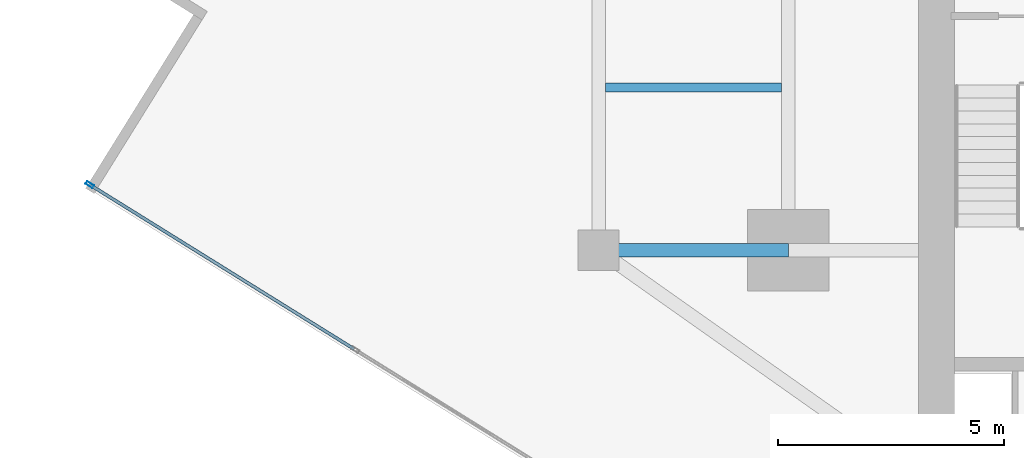
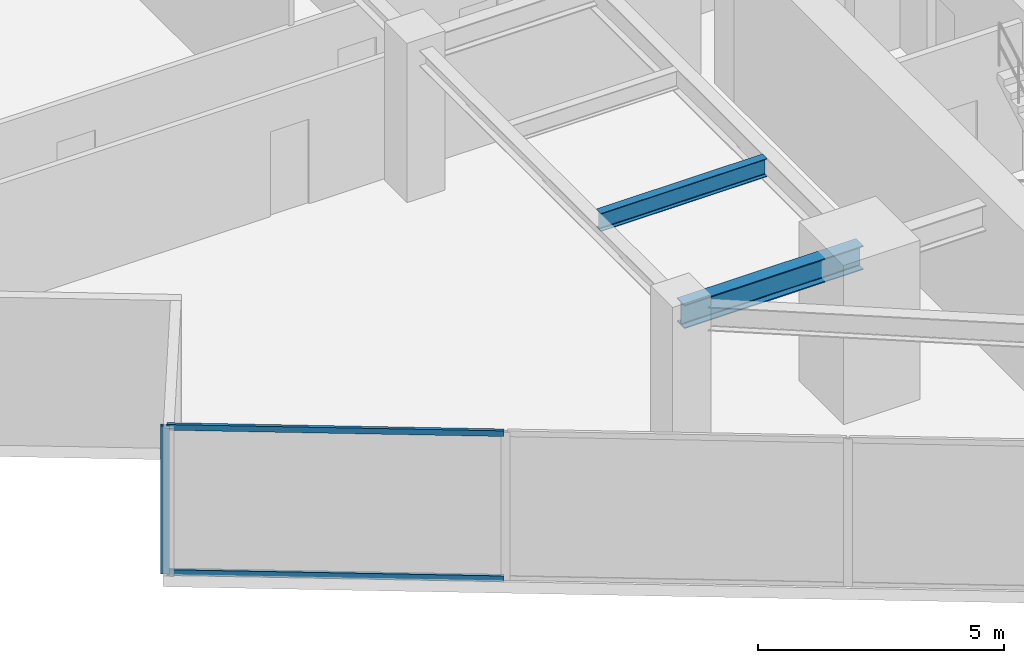
# One storey, part 5 of 25: 3 members, 2 beams, 1 element without a shape of its own.
"""IFC4 building model written with IfcOpenShell, lengths in metres."""

from ifc_helpers import new_model, si_unit, direction, frame, origin, origin_2d, place, context, subcontext, project, spatial, hollow_rectangle, i_section, extrude, source, transform, mapped, material, material_profile, profile_set, type_object, type_shapes, element, aggregate, save


model = new_model("IFC4")

# Units and contexts
model_context = context("Model", 3, precision=1e-05, world=origin(), true_north=direction((0.0, 1.0)))
body_context = subcontext(model_context, "Body", "Model", "MODEL_VIEW")
ifc_project = project(units=[si_unit("LENGTHUNIT", "METRE"), si_unit("AREAUNIT", "SQUARE_METRE"), si_unit("VOLUMEUNIT", "CUBIC_METRE"), si_unit("PLANEANGLEUNIT", "RADIAN"), si_unit("MASSUNIT", "GRAM", prefix="KILO")], contexts=[model_context])

# Site, building, storey
site_placement = place(None, origin())
site = spatial("IfcSite", under=ifc_project, at=site_placement, CompositionType="ELEMENT")
building_placement = place(site_placement, origin())
building = spatial("IfcBuilding", under=site, at=building_placement, Name="Krantzveldt Concourse Tower", CompositionType="ELEMENT")
storey_placement = place(building_placement, frame((0.0, 0.0, 181.75)))
storey = spatial("IfcBuildingStorey", under=building, at=storey_placement, Name="L44", CompositionType="ELEMENT", Elevation=181.75)

# Beams
ifc_material_1 = material(Name="Steel S355JR", Category="steel")
ifc_material_profile_1 = material_profile(ifc_material_1, i_section(OverallWidth=0.300048828125, OverallDepth=0.590087890625, WebThickness=0.012939453125, FlangeThickness=0.02490234375, FilletRadius=0.027099609375, at=origin_2d()), Name="Steel S355JR", Category="steel")
ifc_profile_set_1 = profile_set([ifc_material_profile_1], Name="Steel S355JR - HEA 600")
beam_type_1 = type_object("IfcBeamType", Name="BM-B-HEA600", PredefinedType="BEAM", material=ifc_profile_set_1)
shared_shape_1 = source(origin(), body_context, "Body", "SweptSolid", [
    extrude(i_section(OverallWidth=0.300048828125, OverallDepth=0.590087890625, WebThickness=0.012939453125, FlangeThickness=0.02490234375, FilletRadius=0.027099609375, at=origin_2d()), origin(), (0.0, 0.0, 1.0), 4.199951171875),
])
type_shapes(beam_type_1, [shared_shape_1])
beam_1_placement = place(storey_placement, frame((21.0, 15.89990234375, 3.375), z_axis=(1.0, 0.0, 0.0), x_axis=(0.0, 1.0, 0.0)))
element("IfcBeam", 1, at=beam_1_placement, inside=storey, type_object=beam_type_1, Name="L44 Tower Girder BR-RL1", PredefinedType="BEAM", context=body_context, shape_type="MappedRepresentation", body=[
    mapped(shared_shape_1, transform((0.0, 0.0, 0.0), x_axis=(1.0, 0.0, 0.0), y_axis=(0.0, 1.0, 0.0), z_axis=(0.0, 0.0, 1.0), scale=1.0)),
])
ifc_material_profile_2 = material_profile(ifc_material_1, i_section(OverallWidth=0.18994140625, OverallDepth=0.449951171875, WebThickness=0.009521484375, FlangeThickness=0.0146484375, FilletRadius=0.02099609375, at=origin_2d()), Name="Steel S355JR", Category="steel")
ifc_profile_set_2 = profile_set([ifc_material_profile_2], Name="Steel S355JR - IPE 450")
beam_type_2 = type_object("IfcBeamType", Name="BM-J-IPE450", PredefinedType="JOIST", material=ifc_profile_set_2)
shared_shape_2 = source(origin(), body_context, "Body", "SweptSolid", [
    extrude(i_section(OverallWidth=0.18994140625, OverallDepth=0.449951171875, WebThickness=0.009521484375, FlangeThickness=0.0146484375, FilletRadius=0.02099609375, at=origin_2d()), origin(), (0.0, 0.0, 1.0), 3.900146484375),
])
type_shapes(beam_type_2, [shared_shape_2])
beam_2_placement = place(storey_placement, frame((21.14990234375, 19.5, 3.445068359375), z_axis=(1.0, 0.0, 0.0), x_axis=(0.0, 1.0, 0.0)))
element("IfcBeam", 2, at=beam_2_placement, inside=storey, type_object=beam_type_2, Name="L44 Secondary Floor Joist JW-1", PredefinedType="JOIST", context=body_context, shape_type="MappedRepresentation", body=[
    mapped(shared_shape_2, transform((0.0, 0.0, 0.0), x_axis=(1.0, 0.0, 0.0), y_axis=(0.0, 1.0, 0.0), z_axis=(0.0, 0.0, 1.0), scale=1.0)),
])

# Curtain wall, members
ifc_material_2 = material(Name="Anodised aluminium 6063-T6", Category="aluminium")
curtain_wall_type = type_object("IfcCurtainWallType", Name="CW3", PredefinedType="USERDEFINED", material=ifc_material_2)
curtain_wall_placement = place(storey_placement, origin())
curtain_wall = element("IfcCurtainWall", 3, at=curtain_wall_placement, inside=storey, type_object=curtain_wall_type, Name="CW-L44-F04", ObjectType="UNITISED CURTAIN WALL", PredefinedType="USERDEFINED")
ifc_material_profile_3 = material_profile(ifc_material_2, hollow_rectangle(XDim=0.070068359375, YDim=0.179931640625, WallThickness=0.0048828125, at=origin_2d()), Name="Anodised aluminium 6063-T6", Category="aluminium")
ifc_profile_set_3 = profile_set([ifc_material_profile_3], Name="Anodised aluminium 6063-T6 - ALU-MULL 180x70x5")
member_type_1 = type_object("IfcMemberType", Name="CW-MUL-180", PredefinedType="MULLION", material=ifc_profile_set_3)
shared_shape_3 = source(origin(), body_context, "Body", "SweptSolid", [
    extrude(hollow_rectangle(XDim=0.070068359375, YDim=0.179931640625, WallThickness=0.0048828125, at=origin_2d()), origin(), (0.0, 0.0, 1.0), 3.669921875),
])
type_shapes(member_type_1, [shared_shape_3])
member_1_placement = place(storey_placement, frame((9.736572265625, 17.348876953125, 0.0), z_axis=(0.0, 0.0, 1.0), x_axis=(0.528067901977, 0.84920214961, 0.0)))
member_1 = element("IfcMember", 4, at=member_1_placement, type_object=member_type_1, Name="CW-Z34 mullion 1", PredefinedType="MULLION", context=body_context, shape_type="MappedRepresentation", body=[
    mapped(shared_shape_3, transform((0.0, 0.0, 0.0), x_axis=(1.0, 0.0, 0.0), y_axis=(0.0, 1.0, 0.0), z_axis=(0.0, 0.0, 1.0), scale=1.0)),
])
ifc_material_profile_4 = material_profile(ifc_material_2, hollow_rectangle(XDim=0.070068359375, YDim=0.139892578125, WallThickness=0.0048828125, at=origin_2d()), Name="Anodised aluminium 6063-T6", Category="aluminium")
ifc_profile_set_4 = profile_set([ifc_material_profile_4], Name="Anodised aluminium 6063-T6 - ALU-TRAN 140x70x5")
member_type_2 = type_object("IfcMemberType", Name="CW-TRN-150", PredefinedType="USERDEFINED", material=ifc_profile_set_4)
shared_shape_4 = source(origin(), body_context, "Body", "SweptSolid", [
    extrude(hollow_rectangle(XDim=0.070068359375, YDim=0.139892578125, WallThickness=0.0048828125, at=origin_2d()), origin(), (0.0, 0.0, 1.0), 6.85498046875),
])
type_shapes(member_type_2, [shared_shape_4])
member_2_placement = place(storey_placement, frame((9.76611328125, 17.330322265625, 0.034912109375), z_axis=(0.849204609246, -0.52806394654, 0.0), x_axis=(0.52806394654, 0.849204609246, 0.0)))
member_2 = element("IfcMember", 5, at=member_2_placement, type_object=member_type_2, Name="CW-Z34 transom 1.1", ObjectType="TRANSOM", PredefinedType="USERDEFINED", context=body_context, shape_type="MappedRepresentation", body=[
    mapped(shared_shape_4, transform((0.0, 0.0, 0.0), x_axis=(1.0, 0.0, 0.0), y_axis=(0.0, 1.0, 0.0), z_axis=(0.0, 0.0, 1.0), scale=1.0)),
])
member_3_placement = place(storey_placement, frame((9.76611328125, 17.330322265625, 3.635009765625), z_axis=(0.849204609246, -0.52806394654, 0.0), x_axis=(0.52806394654, 0.849204609246, 0.0)))
member_3 = element("IfcMember", 6, at=member_3_placement, type_object=member_type_2, Name="CW-Z34 transom 1.2", ObjectType="TRANSOM", PredefinedType="USERDEFINED", context=body_context, shape_type="MappedRepresentation", body=[
    mapped(shared_shape_4, transform((0.0, 0.0, 0.0), x_axis=(1.0, 0.0, 0.0), y_axis=(0.0, 1.0, 0.0), z_axis=(0.0, 0.0, 1.0), scale=1.0)),
])
aggregate(curtain_wall, [member_1, member_2, member_3])

save(model, "model.ifc")
